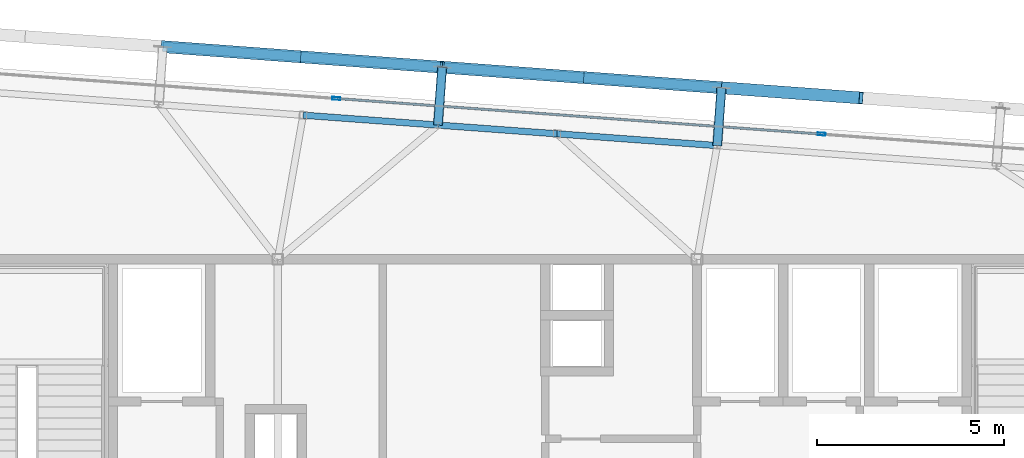
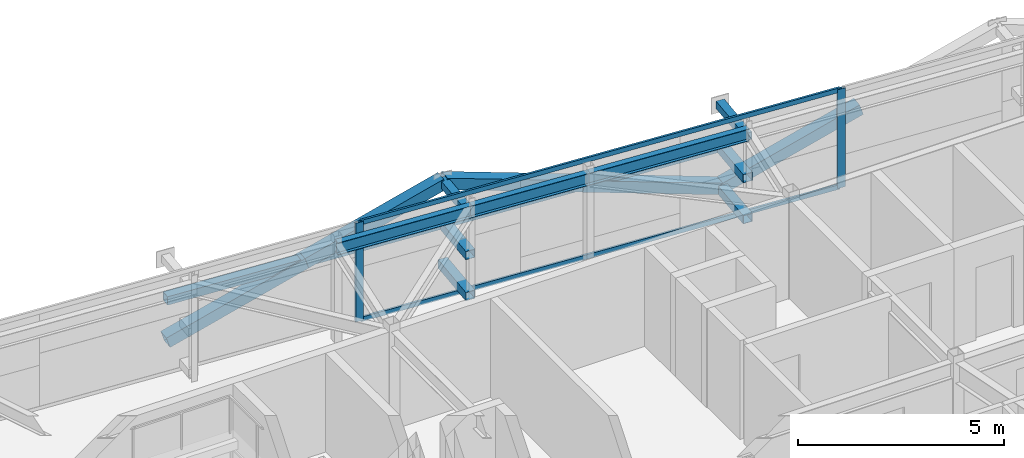
# One storey, part 21 of 34: 17 members, 3 beams, 1 element without a shape of its own.
"""IFC4 building model written with IfcOpenShell, lengths in metres."""

import ifcopenshell
import ifcopenshell.guid

model = None  # the IFC model being written
_history = None  # IfcOwnerHistory: only IFC2X3 demands one
_inside = {}  # id of a spatial element -> (the spatial element, [elements in it])
_under = {}  # id of a project, library or spatial element -> (it, [spatial elements below it])
_declared = {}  # id of a project -> (the project, [libraries it declares])
_typed = {}  # id of a type object -> (the type object, [elements of that type])
_made_of = {}  # id of a material, layer set ... -> (it, [elements and type objects made of it])


def new_model(schema):
    """Start an empty IFC model of exactly this schema.

    Asked for "IFC4X3", IfcOpenShell would pick the latest addendum, in which some entities
    have other attributes; the version numbers below select the first issue.
    IFC2X3 requires an IfcOwnerHistory on every rooted entity: one is made here for all.
    """
    global model, _history
    if schema == "IFC4X3":
        model = ifcopenshell.file(schema_version=(4, 3, 0, 0))
    else:
        model = ifcopenshell.file(schema=schema)
    _inside.clear()
    _under.clear()
    _declared.clear()
    _typed.clear()
    _made_of.clear()
    _history = None
    if model.schema == "IFC2X3":
        org = make("IfcOrganization", Name="unknown")
        user = make(
            "IfcPersonAndOrganization",
            ThePerson=make("IfcPerson", FamilyName="unknown"),
            TheOrganization=org,
        )
        app = make(
            "IfcApplication",
            ApplicationDeveloper=org,
            Version="unknown",
            ApplicationFullName="unknown",
            ApplicationIdentifier="unknown",
        )
        _history = make(
            "IfcOwnerHistory",
            OwningUser=user,
            OwningApplication=app,
            ChangeAction="ADDED",
            CreationDate=0,
        )
    return model


def make(cls, **values):
    """One entity of the class cls with the attributes given. An attribute that is None is left unset."""
    return model.create_entity(
        cls, **{name: value for name, value in values.items() if value is not None}
    )


def rooted(cls, **values):
    """An entity with a GlobalId (a new one), such as an element, a storey or a relation."""
    return make(cls, GlobalId=ifcopenshell.guid.new(), OwnerHistory=_history, **values)


def si_unit(unit_type, name, prefix=None):
    """IfcSIUnit, for example si_unit("LENGTHUNIT", "METRE", prefix="MILLI")."""
    return make("IfcSIUnit", UnitType=unit_type, Prefix=prefix, Name=name)


def assignment(units):
    """IfcUnitAssignment: the units of a project."""
    return None if units is None else make("IfcUnitAssignment", Units=units)


def point(xyz):
    """IfcCartesianPoint."""
    return None if xyz is None else make("IfcCartesianPoint", Coordinates=xyz)


def direction(xyz):
    """IfcDirection."""
    return None if xyz is None else make("IfcDirection", DirectionRatios=xyz)


def frame(location, z_axis=None, x_axis=None):
    """IfcAxis2Placement3D, a coordinate frame: its origin and axes. An axis left out is left unset."""
    return make(
        "IfcAxis2Placement3D",
        Location=point(location),
        Axis=direction(z_axis),
        RefDirection=direction(x_axis),
    )


def frame_2d(location, x_axis=None):
    """IfcAxis2Placement2D, a coordinate frame in the plane: its origin and x axis."""
    return make(
        "IfcAxis2Placement2D", Location=point(location), RefDirection=direction(x_axis)
    )


def origin():
    """The frame at (0, 0, 0) with its axes left unset."""
    return frame((0.0, 0.0, 0.0))


def origin_2d():
    """The frame at (0, 0) in the plane with its x axis left unset."""
    return frame_2d((0.0, 0.0))


def place(relative_to, where):
    """IfcLocalPlacement: puts the frame where relative to a parent placement (None: the world)."""
    return make(
        "IfcLocalPlacement", PlacementRelTo=relative_to, RelativePlacement=where
    )


def context(
    kind, dimensions, precision=None, world=None, true_north=None, identifier=None
):
    """IfcGeometricRepresentationContext, for example the 3D "Model" context."""
    return make(
        "IfcGeometricRepresentationContext",
        ContextIdentifier=identifier,
        ContextType=kind,
        CoordinateSpaceDimension=dimensions,
        Precision=precision,
        WorldCoordinateSystem=world,
        TrueNorth=true_north,
    )


def subcontext(parent, identifier, kind, view, scale=None):
    """IfcGeometricRepresentationSubContext, for example "Body" below "Model"."""
    return make(
        "IfcGeometricRepresentationSubContext",
        ContextIdentifier=identifier,
        ContextType=kind,
        ParentContext=parent,
        TargetScale=scale,
        TargetView=view,
    )


def project(units=None, contexts=None):
    """IfcProject with its units and contexts."""
    return rooted(
        "IfcProject",
        Name="project",
        RepresentationContexts=contexts,
        UnitsInContext=assignment(units),
    )


def spatial(cls, under=None, at=None, **own):
    """A site, building, storey or space (cls), placed at a placement, below another one or the project."""
    s = rooted(cls, ObjectPlacement=at, **own)
    if under is not None:
        _under.setdefault(under.id(), (under, []))[1].append(s)
    return s


def profile(cls, at=None, kind="AREA", **sizes):
    """A parametric profile (cls). Its sizes go by their IFC names, for example OverallWidth=200.0."""
    return make(cls, ProfileType=kind, Position=at, **sizes)


def hollow_rectangle(**sizes):
    """IfcRectangleHollowProfileDef."""
    return profile("IfcRectangleHollowProfileDef", **sizes)


def i_section(**sizes):
    """IfcIShapeProfileDef."""
    return profile("IfcIShapeProfileDef", **sizes)


def extrude(swept, where, along, depth):
    """IfcExtrudedAreaSolid: the profile swept, set in the frame where, extruded along a direction by depth."""
    return make(
        "IfcExtrudedAreaSolid",
        SweptArea=swept,
        Position=where,
        ExtrudedDirection=direction(along),
        Depth=depth,
    )


def shape(context_of_items, identifier, shape_type, items):
    """IfcShapeRepresentation: the items that make up one representation, for example the "Body"."""
    return make(
        "IfcShapeRepresentation",
        ContextOfItems=context_of_items,
        RepresentationIdentifier=identifier,
        RepresentationType=shape_type,
        Items=items,
    )


def source(mapping_origin, context_of_items, identifier, shape_type, items):
    """IfcRepresentationMap: a shape defined once, which mapped items show again and again."""
    return make(
        "IfcRepresentationMap",
        MappingOrigin=mapping_origin,
        MappedRepresentation=shape(context_of_items, identifier, shape_type, items),
    )


def transform(
    local_origin,
    x_axis=None,
    y_axis=None,
    z_axis=None,
    scale=None,
    scale2=None,
    scale3=None,
    uniform=True,
):
    """IfcCartesianTransformationOperator3D, or its non-uniform kind. x_axis, y_axis, z_axis: its Axis1, 2, 3."""
    if uniform:
        return make(
            "IfcCartesianTransformationOperator3D",
            Axis1=direction(x_axis),
            Axis2=direction(y_axis),
            LocalOrigin=point(local_origin),
            Scale=scale,
            Axis3=direction(z_axis),
        )
    return make(
        "IfcCartesianTransformationOperator3DnonUniform",
        Axis1=direction(x_axis),
        Axis2=direction(y_axis),
        LocalOrigin=point(local_origin),
        Scale=scale,
        Axis3=direction(z_axis),
        Scale2=scale2,
        Scale3=scale3,
    )


def mapped(mapping_source, mapping_target):
    """IfcMappedItem: shows the shape of a source again, moved by a transform."""
    return make(
        "IfcMappedItem", MappingSource=mapping_source, MappingTarget=mapping_target
    )


def material(Name=None, Category=None):
    """IfcMaterial."""
    return make("IfcMaterial", Name=Name, Category=Category)


def layer(
    of_material, thickness, ventilated=None, Name=None, Category=None, Priority=None
):
    """IfcMaterialLayer: one layer of a wall or slab, of a material (None: an air gap)."""
    return make(
        "IfcMaterialLayer",
        Material=of_material,
        LayerThickness=thickness,
        IsVentilated=ventilated,
        Name=Name,
        Category=Category,
        Priority=Priority,
    )


def layer_set(layers, Name=None):
    """IfcMaterialLayerSet."""
    return make("IfcMaterialLayerSet", MaterialLayers=layers, LayerSetName=Name)


def material_profile(
    of_material, cross_section, Name=None, Category=None, Priority=None
):
    """IfcMaterialProfile: a cross section and its material."""
    return make(
        "IfcMaterialProfile",
        Name=Name,
        Material=of_material,
        Profile=cross_section,
        Priority=Priority,
        Category=Category,
    )


def profile_set(profiles, Name=None, composite=None):
    """IfcMaterialProfileSet."""
    return make(
        "IfcMaterialProfileSet",
        Name=Name,
        MaterialProfiles=profiles,
        CompositeProfile=composite,
    )


def made_of(thing, what):
    """Note that an element or type object is made of a material, layer set ...; save() writes the relation."""
    if what is not None:
        _made_of.setdefault(what.id(), (what, []))[1].append(thing)
    return thing


def type_object(cls, material=None, **own):
    """A type object (cls), such as IfcWallType, which elements share."""
    return made_of(rooted(cls, **own), material)


def element(
    cls,
    number,
    at=None,
    inside=None,
    cuts=None,
    type_object=None,
    material=None,
    context=None,
    identifier="Body",
    shape_type=None,
    held_by="IfcProductDefinitionShape",
    body=None,
    shapes=None,
    **own,
):
    """One element of the class cls, such as IfcWall. Its Tag is "e" and its number.

    at: its placement. inside: the storey or other place that contains it. cuts: it is an
    opening in that element (IfcRelVoidsElement). A single representation is given by context,
    identifier, shape_type and body (its items); several are given by shapes. held_by: the class
    of the entity that holds the representations. save() writes the other relations.
    """
    e = rooted(cls, Tag="e%d" % number, ObjectPlacement=at, **own)
    if body is not None:
        shapes = [shape(context, identifier, shape_type, body)]
    if shapes is not None:
        e.Representation = make(held_by, Representations=shapes)
    if inside is not None:
        _inside.setdefault(inside.id(), (inside, []))[1].append(e)
    if cuts is not None:
        rooted(
            "IfcRelVoidsElement", RelatingBuildingElement=cuts, RelatedOpeningElement=e
        )
    if type_object is not None:
        _typed.setdefault(type_object.id(), (type_object, []))[1].append(e)
    return made_of(e, material)


def aggregate(whole, parts):
    """IfcRelAggregates: a whole, such as a stair, and the parts it consists of."""
    return rooted("IfcRelAggregates", RelatingObject=whole, RelatedObjects=parts)


def save(model, path):
    """Write the relations noted so far, then the file.

    IfcRelAggregates (storeys below a building ...), IfcRelContainedInSpatialStructure (elements
    in a storey), IfcRelDefinesByType, IfcRelAssociatesMaterial and IfcRelDeclares: one each for
    every whole, place, type object, material and project.
    """
    for whole, parts in _under.values():
        aggregate(whole, parts)
    for where, things in _inside.values():
        rooted(
            "IfcRelContainedInSpatialStructure",
            RelatedElements=things,
            RelatingStructure=where,
        )
    for kind, things in _typed.values():
        rooted("IfcRelDefinesByType", RelatedObjects=things, RelatingType=kind)
    for what, things in _made_of.values():
        rooted("IfcRelAssociatesMaterial", RelatedObjects=things, RelatingMaterial=what)
    for by, libraries in _declared.values():
        rooted("IfcRelDeclares", RelatingContext=by, RelatedDefinitions=libraries)
    model.write(path)


model = new_model("IFC4")

# Units and contexts
model_context = context("Model", 3, precision=1e-05, world=origin(), true_north=direction((0.0, 1.0)))
body_context = subcontext(model_context, "Body", "Model", "MODEL_VIEW")
ifc_project = project(units=[si_unit("LENGTHUNIT", "METRE"), si_unit("AREAUNIT", "SQUARE_METRE"), si_unit("VOLUMEUNIT", "CUBIC_METRE"), si_unit("PLANEANGLEUNIT", "RADIAN"), si_unit("MASSUNIT", "GRAM", prefix="KILO")], contexts=[model_context])

# Site, building, storey
site_placement = place(None, origin())
site = spatial("IfcSite", under=ifc_project, at=site_placement, CompositionType="ELEMENT")
building_placement = place(site_placement, origin())
building = spatial("IfcBuilding", under=site, at=building_placement, Name="Taldren Reach Tower", CompositionType="ELEMENT")
storey_placement = place(building_placement, frame((0.0, 0.0, 239.75)))
storey = spatial("IfcBuildingStorey", under=building, at=storey_placement, Name="L73", CompositionType="ELEMENT", Elevation=239.75)

# Members
ifc_material_1 = material(Name="Steel Gr 350 (C350L0)", Category="steel")
ifc_material_profile_1 = material_profile(ifc_material_1, hollow_rectangle(XDim=0.25, YDim=0.25, WallThickness=0.010009765625, at=origin_2d()), Name="250x250x10.0SHS")
ifc_profile_set_1 = profile_set([ifc_material_profile_1], Name="Steel Gr 350 (C350L0)")
member_type_1 = type_object("IfcMemberType", Name="MB-POST250", PredefinedType="POST", material=ifc_profile_set_1)
shared_shape_1 = source(origin(), body_context, "Body", "SweptSolid", [
    extrude(hollow_rectangle(XDim=0.25, YDim=0.25, WallThickness=0.010009765625, at=origin_2d()), origin(), (0.0, 0.0, 1.0), 1.550048828125),
])
for number, where, z_axis, x_axis, name in (
    (1, (32.279541015625, 35.583251953125, 0.219970703125), (0.07323929162, 0.997314396849, 0.0), (-0.997314396849, 0.07323929162, 0.0), "Exoskeleton base diaphragm tie strut B5-N3 L73"),
    (2, (39.739501953125, 35.035400390625, 0.219970703125), (0.07323929162, 0.997314396849, 0.0), (-0.997314396849, 0.07323929162, 0.0), "Exoskeleton base diaphragm tie strut B5-N4 L73"),
    (3, (32.279541015625, 35.583251953125, 1.43505859375), (0.07323929162, 0.997314396849, 0.0), (-0.997314396849, 0.07323929162, 0.0), "Exoskeleton mid-tier diaphragm tie B5-N3 L73"),
    (4, (39.739501953125, 35.035400390625, 1.43505859375), (0.07323929162, 0.997314396849, 0.0), (-0.997314396849, 0.07323929162, 0.0), "Exoskeleton mid-tier diaphragm tie B5-N4 L73"),
):
    element("IfcMember", number, at=place(storey_placement, frame(where, z_axis=z_axis, x_axis=x_axis)), inside=storey, type_object=member_type_1, Name=name, PredefinedType="POST", context=body_context, shape_type="MappedRepresentation", body=[
        mapped(shared_shape_1, transform((0.0, 0.0, 0.0), scale=1.0)),
    ])
ifc_material_2 = material(Name="Steel Gr 450 (C450L0)", Category="steel")
ifc_material_profile_2 = material_profile(ifc_material_2, hollow_rectangle(XDim=0.219970703125, YDim=0.219970703125, WallThickness=0.00830078125, at=origin_2d()), Name="220x220x8.2SHS")
ifc_profile_set_2 = profile_set([ifc_material_profile_2], Name="Steel Gr 450 (C450L0)")
member_type_2 = type_object("IfcMemberType", Name="MB-TIE219", PredefinedType="STRUT", material=ifc_profile_set_2)
shared_shape_2 = source(origin(), body_context, "Body", "SweptSolid", [
    extrude(hollow_rectangle(XDim=0.219970703125, YDim=0.219970703125, WallThickness=0.00830078125, at=origin_2d()), origin(), (0.0, 0.0, 1.0), 1.550048828125),
])
for number, where, z_axis, x_axis, name in (
    (5, (32.279541015625, 35.583251953125, 2.64990234375), (0.07323929162, 0.997314396849, 0.0), (-0.997314396849, 0.07323929162, 0.0), "Exoskeleton diaphragm tie strut B5-N3 L73"),
    (6, (39.739501953125, 35.035400390625, 2.64990234375), (0.07323929162, 0.997314396849, 0.0), (-0.997314396849, 0.07323929162, 0.0), "Exoskeleton diaphragm tie strut B5-N4 L73"),
):
    element("IfcMember", number, at=place(storey_placement, frame(where, z_axis=z_axis, x_axis=x_axis)), inside=storey, type_object=member_type_2, Name=name, PredefinedType="STRUT", context=body_context, shape_type="MappedRepresentation", body=[
        mapped(shared_shape_2, transform((0.0, 0.0, 0.0), scale=1.0)),
    ])

# Beams
ifc_material_3 = material(Name="Steel Gr 350 (350PLUS)", Category="steel")
ifc_material_profile_3 = material_profile(ifc_material_3, i_section(OverallWidth=0.172119140625, OverallDepth=0.35888671875, WebThickness=0.008056640625, FlangeThickness=0.012939453125, at=origin_2d()), Name="360UB56.7")
ifc_profile_set_3 = profile_set([ifc_material_profile_3], Name="Steel Gr 350 (350PLUS)")
beam_type = type_object("IfcBeamType", Name="SP-UB360", PredefinedType="SPANDREL", material=ifc_profile_set_3)
shared_shape_3 = source(origin(), body_context, "Body", "SweptSolid", [
    extrude(i_section(OverallWidth=0.172119140625, OverallDepth=0.35888671875, WebThickness=0.008056640625, FlangeThickness=0.012939453125, at=origin_2d()), origin(), (0.0, 0.0, 1.0), 4.2900390625),
])
beam_1_placement = place(storey_placement, frame((39.739501953125, 35.035400390625, 2.75048828125), z_axis=(-0.997314292471, 0.073240712948, 0.0), x_axis=(-0.073240712948, -0.997314292471, 0.0)))
element("IfcBeam", 7, at=beam_1_placement, inside=storey, type_object=beam_type, Name="Perimeter spandrel B5 N4-PJN2 L73", PredefinedType="SPANDREL", context=body_context, shape_type="MappedRepresentation", body=[
    mapped(shared_shape_3, transform((0.0, 0.0, 0.0), scale=1.0)),
])
shared_shape_4 = source(origin(), body_context, "Body", "SweptSolid", [
    extrude(i_section(OverallWidth=0.172119140625, OverallDepth=0.35888671875, WebThickness=0.008056640625, FlangeThickness=0.012939453125, at=origin_2d()), origin(), (0.0, 0.0, 1.0), 3.18994140625),
])
beam_2_placement = place(storey_placement, frame((35.4609375, 35.349609375, 2.75048828125), z_axis=(-0.99731412404, 0.073243006424, 0.0), x_axis=(-0.073243006424, -0.99731412404, 0.0)))
element("IfcBeam", 8, at=beam_2_placement, inside=storey, type_object=beam_type, Name="Perimeter spandrel B5 PJN2-N3 L73", PredefinedType="SPANDREL", context=body_context, shape_type="MappedRepresentation", body=[
    mapped(shared_shape_4, transform((0.0, 0.0, 0.0), scale=1.0)),
])
shared_shape_5 = source(origin(), body_context, "Body", "SweptSolid", [
    extrude(i_section(OverallWidth=0.172119140625, OverallDepth=0.35888671875, WebThickness=0.008056640625, FlangeThickness=0.012939453125, at=origin_2d()), origin(), (0.0, 0.0, 1.0), 3.610107421875),
])
beam_3_placement = place(storey_placement, frame((32.279541015625, 35.583251953125, 2.75048828125), z_axis=(-0.997314240042, 0.073241426864, 0.0), x_axis=(-0.073241426864, -0.997314240042, 0.0)))
element("IfcBeam", 9, at=beam_3_placement, inside=storey, type_object=beam_type, Name="Perimeter spandrel B5 N3-PJN1 L73", PredefinedType="SPANDREL", context=body_context, shape_type="MappedRepresentation", body=[
    mapped(shared_shape_5, transform((0.0, 0.0, 0.0), scale=1.0)),
])

# Members
ifc_material_profile_4 = material_profile(ifc_material_2, hollow_rectangle(XDim=0.324951171875, YDim=0.324951171875, WallThickness=0.0126953125, at=origin_2d()), Name="325x325x12.7SHS")
ifc_profile_set_4 = profile_set([ifc_material_profile_4], Name="Steel Gr 450 (C450L0)")
member_type_3 = type_object("IfcMemberType", Name="MB-BR324", PredefinedType="BRACE", material=ifc_profile_set_4)
shared_shape_6 = source(origin(), body_context, "Body", "SweptSolid", [
    extrude(hollow_rectangle(XDim=0.324951171875, YDim=0.324951171875, WallThickness=0.0126953125, at=origin_2d()), origin(), (0.0, 0.0, 1.0), 3.932373046875),
])
for number, where, z_axis, x_axis, name in (
    (10, (24.93310546875, 37.677001953125, 0.219970703125), (0.948511132845, -0.069657644394, 0.308989390507), (0.07324169103, 0.997314220642, 0.0), "Exoskeleton Diagrid Brace B5-N2 L73"),
    (11, (28.6630859375, 37.403076171875, 1.43505859375), (0.948529326954, -0.06965898055, 0.308933232813), (0.07324169103, 0.997314220642, 0.0), "Exoskeleton Diagrid Brace B5-N2 L73"),
    (12, (39.85302734375, 36.581298828125, 0.219970703125), (-0.948511132845, 0.069657644394, 0.308989390507), (-0.07324169103, -0.997314220642, 0.0), "Exoskeleton Diagrid Brace B5-N3 L73"),
    (13, (36.123046875, 36.855224609375, 1.43505859375), (-0.948529326954, 0.06965898055, 0.308933232813), (-0.07324169103, -0.997314220642, 0.0), "Exoskeleton Diagrid Brace B5-N3 L73"),
    (14, (39.85302734375, 36.581298828125, 0.219970703125), (0.948511132845, -0.069657644394, 0.308989390507), (0.07324169103, 0.997314220642, 0.0), "Exoskeleton Diagrid Brace B5-N4 L73"),
):
    element("IfcMember", number, at=place(storey_placement, frame(where, z_axis=z_axis, x_axis=x_axis)), inside=storey, type_object=member_type_3, Name=name, PredefinedType="BRACE", context=body_context, shape_type="MappedRepresentation", body=[
        mapped(shared_shape_6, transform((0.0, 0.0, 0.0), scale=1.0)),
    ])
shared_shape_7 = source(origin(), body_context, "Body", "SweptSolid", [
    extrude(hollow_rectangle(XDim=0.25, YDim=0.25, WallThickness=0.010009765625, at=origin_2d()), origin(), (0.0, 0.0, 1.0), 7.47998046875),
])
for number, where, z_axis, x_axis, name in (
    (15, (24.93310546875, 37.677001953125, 1.43505859375), (0.997314220642, -0.07324169103, 0.0), (0.07324169103, 0.997314220642, 0.0), "Exoskeleton mid-height ring chord B5-N2 L73"),
    (16, (32.39306640625, 37.129150390625, 1.43505859375), (0.997314220642, -0.07324169103, 0.0), (0.07324169103, 0.997314220642, 0.0), "Exoskeleton mid-height ring chord B5-N3 L73"),
):
    element("IfcMember", number, at=place(storey_placement, frame(where, z_axis=z_axis, x_axis=x_axis)), inside=storey, type_object=member_type_1, Name=name, PredefinedType="POST", context=body_context, shape_type="MappedRepresentation", body=[
        mapped(shared_shape_7, transform((0.0, 0.0, 0.0), scale=1.0)),
    ])

# Curtain wall, members
ifc_material_4 = material(Name="Aluminium and Low-E Glass Unitised System", Category="aluminium")
ifc_layer = layer(ifc_material_4, 0.159912109375)
ifc_layer_set = layer_set([ifc_layer], Name="Aluminium and Low-E Glass Unitised System")
curtain_wall_type = type_object("IfcCurtainWallType", Name="CW-SYS-6", PredefinedType="NOTDEFINED", material=ifc_layer_set)
curtain_wall_placement = place(storey_placement, origin())
curtain_wall = element("IfcCurtainWall", 17, at=curtain_wall_placement, inside=storey, type_object=curtain_wall_type, Name="Unitised curtain wall CW-L73-N", PredefinedType="NOTDEFINED")
ifc_material_5 = material(Name="Anodised Aluminium 6063-T6", Category="aluminium")
ifc_material_profile_5 = material_profile(ifc_material_5, hollow_rectangle(XDim=0.06005859375, YDim=0.135009765625, WallThickness=0.00341796875, at=origin_2d()), Name="ALU-135x60x3.5RHS")
ifc_profile_set_5 = profile_set([ifc_material_profile_5], Name="Anodised Aluminium 6063-T6")
member_type_4 = type_object("IfcMemberType", Name="CW-TRN-150", PredefinedType="USERDEFINED", material=ifc_profile_set_5)
shared_shape_8 = source(origin(), body_context, "Body", "SweptSolid", [
    extrude(hollow_rectangle(XDim=0.06005859375, YDim=0.135009765625, WallThickness=0.00341796875, at=origin_2d()), origin(), (0.0, 0.0, 1.0), 12.9248046875),
])
member_1_placement = place(storey_placement, frame((42.491943359375, 35.3447265625, 0.030029296875), z_axis=(-0.997314812144, 0.073233636249, 0.0), x_axis=(-0.073233636249, -0.997314812144, 0.0)))
member_1 = element("IfcMember", 18, at=member_1_placement, type_object=member_type_4, Name="CW-6 transom 2.1", ObjectType="TRANSOM", PredefinedType="USERDEFINED", context=body_context, shape_type="MappedRepresentation", body=[
    mapped(shared_shape_8, transform((0.0, 0.0, 0.0), scale=1.0)),
])
member_2_placement = place(storey_placement, frame((42.491943359375, 35.3447265625, 2.89990234375), z_axis=(-0.997314812144, 0.073233636249, 0.0), x_axis=(-0.073233636249, -0.997314812144, 0.0)))
member_2 = element("IfcMember", 19, at=member_2_placement, type_object=member_type_4, Name="CW-6 transom 2.2", ObjectType="TRANSOM", PredefinedType="USERDEFINED", context=body_context, shape_type="MappedRepresentation", body=[
    mapped(shared_shape_8, transform((0.0, 0.0, 0.0), scale=1.0)),
])
ifc_material_profile_6 = material_profile(ifc_material_5, hollow_rectangle(XDim=0.074951171875, YDim=0.2099609375, WallThickness=0.00439453125, at=origin_2d()), Name="ALU-210x75x4.5RHS")
ifc_profile_set_6 = profile_set([ifc_material_profile_6], Name="Anodised Aluminium 6063-T6")
member_type_5 = type_object("IfcMemberType", Name="CW-MUL-200", PredefinedType="MULLION", material=ifc_profile_set_6)
shared_shape_9 = source(origin(), body_context, "Body", "SweptSolid", [
    extrude(hollow_rectangle(XDim=0.074951171875, YDim=0.2099609375, WallThickness=0.00439453125, at=origin_2d()), origin(), (0.0, 0.0, 1.0), 2.929931640625),
])
member_3_placement = place(storey_placement, frame((42.529541015625, 35.341796875, 0.0), z_axis=(0.0, 0.0, 1.0), x_axis=(-0.073238213716, -0.997314476006, 0.0)))
member_3 = element("IfcMember", 20, at=member_3_placement, type_object=member_type_5, Name="CW-6 mullion 2", PredefinedType="MULLION", context=body_context, shape_type="MappedRepresentation", body=[
    mapped(shared_shape_9, transform((0.0, 0.0, 0.0), scale=1.0)),
])
member_4_placement = place(storey_placement, frame((29.564453125, 36.2939453125, 0.0), z_axis=(0.0, 0.0, 1.0), x_axis=(-0.073238213716, -0.997314476006, 0.0)))
member_4 = element("IfcMember", 21, at=member_4_placement, type_object=member_type_5, Name="CW-6 mullion 3", PredefinedType="MULLION", context=body_context, shape_type="MappedRepresentation", body=[
    mapped(shared_shape_9, transform((0.0, 0.0, 0.0), scale=1.0)),
])
aggregate(curtain_wall, [member_3, member_4, member_1, member_2])

save(model, "model.ifc")
